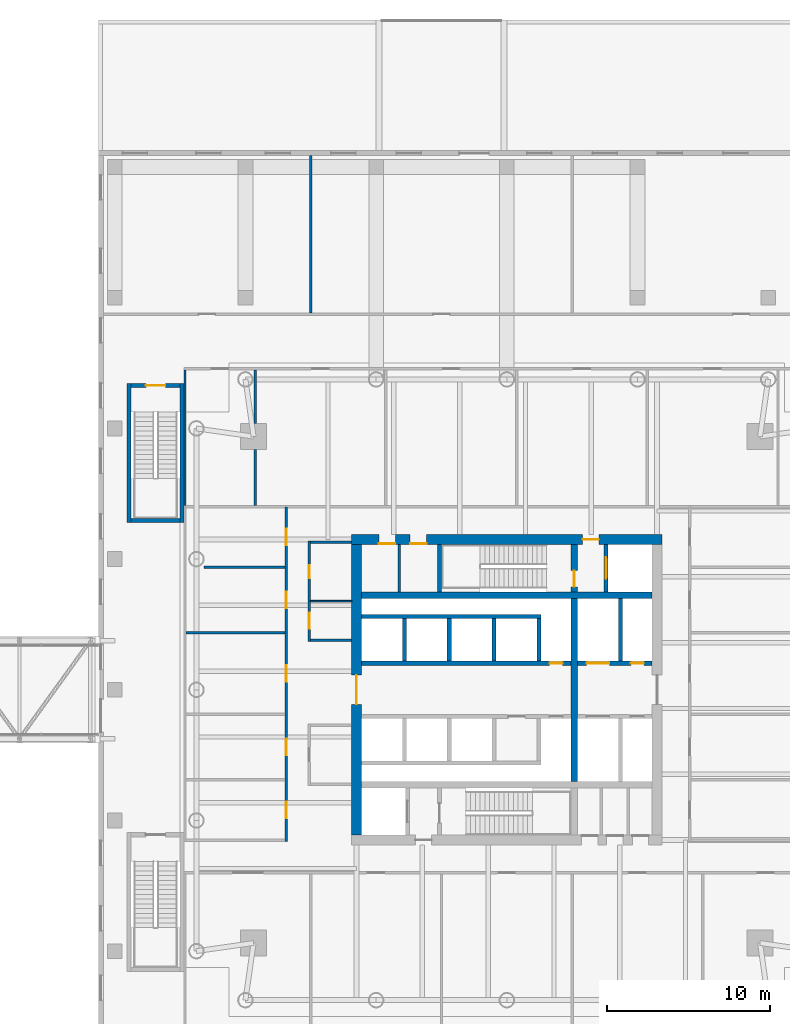
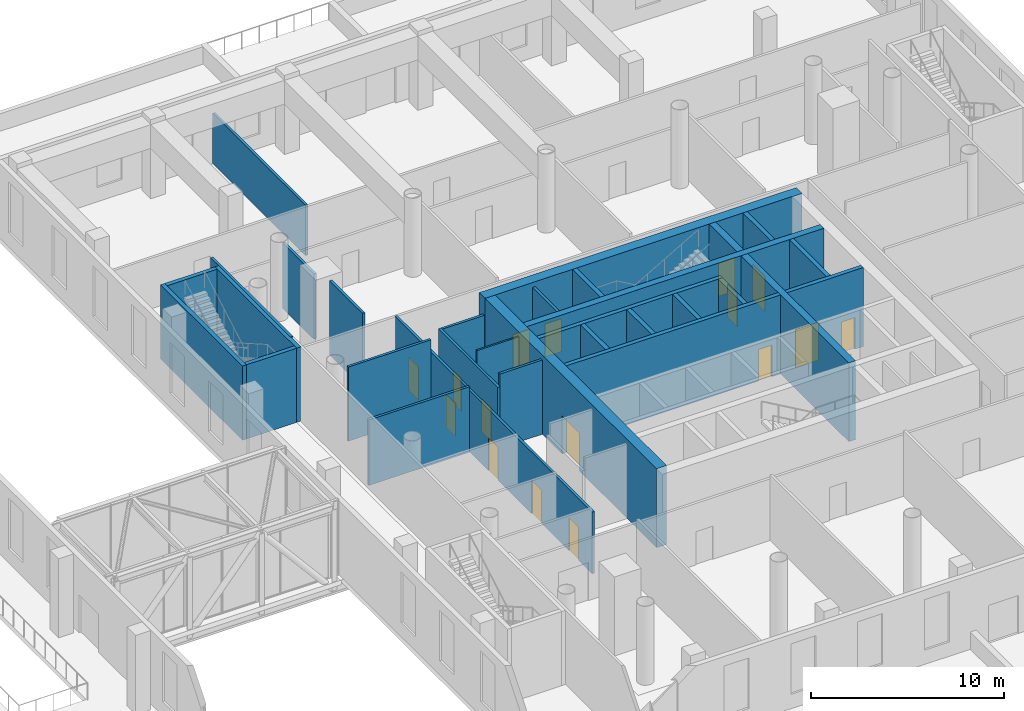
# One storey, part 16 of 23: 31 walls, 17 doors, 17 openings.
"""IFC4 building model written with IfcOpenShell, lengths in metres."""

from ifc_helpers import new_model, si_unit, direction, frame, frame_2d, origin, place, context, subcontext, project, spatial, rectangle, extrude, material, layer, layer_set, type_object, element, fill, save


model = new_model("IFC4")

# Units and contexts
model_context = context("Model", 3, precision=1e-05, world=origin(), true_north=direction((0.0, 1.0)))
body_context = subcontext(model_context, "Body", "Model", "MODEL_VIEW")
ifc_project = project(units=[si_unit("LENGTHUNIT", "METRE"), si_unit("AREAUNIT", "SQUARE_METRE"), si_unit("VOLUMEUNIT", "CUBIC_METRE"), si_unit("PLANEANGLEUNIT", "RADIAN"), si_unit("MASSUNIT", "GRAM", prefix="KILO")], contexts=[model_context])

# Site, building, storey
site_placement = place(None, origin())
site = spatial("IfcSite", under=ifc_project, at=site_placement, CompositionType="ELEMENT")
building_placement = place(site_placement, origin())
building = spatial("IfcBuilding", under=site, at=building_placement, Name="Ostroluk Exchange", CompositionType="ELEMENT")
storey_placement = place(building_placement, frame((0.0, 0.0, 11.0)))
storey = spatial("IfcBuildingStorey", under=building, at=storey_placement, Name="L02", CompositionType="ELEMENT", Elevation=11.0)

# Walls
ifc_material_1 = material(Name="Concrete blockwork", Category="masonry")
ifc_layer_1 = layer(ifc_material_1, 0.10009765625)
ifc_layer_set_1 = layer_set([ifc_layer_1], Name="Blockwork WC wall 100")
wall_type_1 = type_object("IfcWallType", Name="Blockwork WC wall 100", PredefinedType="SOLIDWALL", material=ifc_layer_set_1)
wall_1_placement = place(storey_placement, frame((104.97509765625, 51.425048828125, 0.0), z_axis=(0.0, 0.0, 1.0), x_axis=(1.0, 0.0, 0.0)))
element("IfcWall", 1, at=wall_1_placement, inside=storey, type_object=wall_type_1, Name="Blockwork WC wall", PredefinedType="SOLIDWALL", context=body_context, shape_type="SweptSolid", body=[
    extrude(rectangle(XDim=2.52490234375, YDim=0.10009765625, at=frame_2d((1.262451171875, 0.0))), origin(), (0.0, 0.0, 1.0), 4.699951171875),
])
ifc_material_2 = material(Name="Concrete blockwork", Category="masonry")
ifc_layer_2 = layer(ifc_material_2, 0.14990234375)
ifc_layer_set_2 = layer_set([ifc_layer_2], Name="Blockwork plant room wall 150")
wall_type_2 = type_object("IfcWallType", Name="Blockwork plant room wall 150", PredefinedType="SOLIDWALL", material=ifc_layer_set_2)
wall_2_placement = place(storey_placement, frame((110.425048828125, 52.0, 0.0), z_axis=(0.0, 0.0, 1.0), x_axis=(0.0, 1.0, 0.0)))
element("IfcWall", 2, at=wall_2_placement, inside=storey, type_object=wall_type_2, Name="Core room wall", PredefinedType="SOLIDWALL", context=body_context, shape_type="SweptSolid", body=[
    extrude(rectangle(XDim=2.89990234375, YDim=0.14990234375, at=frame_2d((1.449951171875, 0.0))), origin(), (0.0, 0.0, 1.0), 4.699951171875),
])
ifc_material_3 = material(Name="Concrete blockwork", Category="masonry")
ifc_layer_3 = layer(ifc_material_3, 0.25)
ifc_layer_set_3 = layer_set([ifc_layer_3], Name="Blockwork stair enclosure wall 250")
wall_type_3 = type_object("IfcWallType", Name="Blockwork stair enclosure wall 250", PredefinedType="SOLIDWALL", material=ifc_layer_set_3)
for number, where, z_axis, x_axis, name in (
    (3, (93.875, 56.25, 0.0), (0.0, 0.0, 1.0), (0.0, 1.0, 0.0), "Stair PS6 enclosure wall"),
    (4, (97.125, 56.25, 0.0), (0.0, 0.0, 1.0), (0.0, 1.0, 0.0), "Stair PS6 enclosure wall"),
):
    element("IfcWall", number, at=place(storey_placement, frame(where, z_axis=z_axis, x_axis=x_axis)), inside=storey, type_object=wall_type_3, Name=name, PredefinedType="SOLIDWALL", context=body_context, shape_type="SweptSolid", body=[
        extrude(rectangle(XDim=8.5, YDim=0.25, at=frame_2d((4.25, 0.0))), origin(), (0.0, 0.0, 1.0), 4.699951171875),
    ])
wall_3_placement = place(storey_placement, frame((94.0, 56.375, 0.0), z_axis=(0.0, 0.0, 1.0), x_axis=(1.0, 0.0, 0.0)))
element("IfcWall", 5, at=wall_3_placement, inside=storey, type_object=wall_type_3, Name="Stair PS6 enclosure wall", PredefinedType="SOLIDWALL", context=body_context, shape_type="SweptSolid", body=[
    extrude(rectangle(XDim=3.0, YDim=0.25, at=frame_2d((1.5, 0.0))), origin(), (0.0, 0.0, 1.0), 4.699951171875),
])

# Wall, opening, door
wall_4_placement = place(storey_placement, frame((94.0, 64.625, 0.0), z_axis=(0.0, 0.0, 1.0), x_axis=(1.0, 0.0, 0.0)))
wall_4 = element("IfcWall", 6, at=wall_4_placement, inside=storey, type_object=wall_type_3, Name="Stair PS6 enclosure wall", PredefinedType="SOLIDWALL", context=body_context, shape_type="SweptSolid", body=[
    extrude(rectangle(XDim=3.0, YDim=0.25, at=frame_2d((1.5, 0.0))), origin(), (0.0, 0.0, 1.0), 4.699951171875),
])
opening_1_placement = place(wall_4_placement, frame((0.89990234375, 0.0, 0.0)))
opening_1 = element("IfcOpeningElement", 7, at=opening_1_placement, cuts=wall_4, Name="Opening FD60S", PredefinedType="OPENING", context=body_context, shape_type="SweptSolid", body=[
    extrude(rectangle(XDim=1.199951171875, YDim=2.10009765625, at=frame_2d((0.60009765625, 1.050048828125))), frame((0.0, 0.135009765625, 0.0), z_axis=(0.0, -1.0, 0.0), x_axis=(1.0, 0.0, 0.0)), (0.0, 0.0, 1.0), 0.27001953125),
])
ifc_material_4 = material(Name="Steel", Category="steel")
door_type_1 = type_object("IfcDoorType", Name="Stair door EI 60 1200 x 2100", OperationType="SINGLE_SWING_LEFT", PredefinedType="DOOR", material=ifc_material_4)
door_1_placement = place(opening_1_placement, origin())
door_1 = element("IfcDoor", 8, at=door_1_placement, inside=storey, type_object=door_type_1, Name="Stair PS6 door", OperationType="SINGLE_SWING_LEFT", OverallHeight=2.10009765625, OverallWidth=1.199951171875, PredefinedType="DOOR", context=body_context, shape_type="SweptSolid", body=[
    extrude(rectangle(XDim=1.199951171875, YDim=2.10009765625, at=frame_2d((0.60009765625, 1.050048828125))), frame((0.0, 0.02490234375, 0.0), z_axis=(0.0, -1.0, 0.0), x_axis=(1.0, 0.0, 0.0)), (0.0, 0.0, 1.0), 0.050048828125),
])
fill(opening_1, door_1)

# Walls
ifc_material_5 = material(Name="Concrete C50/60", Category="concrete")
ifc_layer_4 = layer(ifc_material_5, 0.39990234375)
ifc_layer_set_4 = layer_set([ifc_layer_4], Name="Core cross wall 400 C50/60")
wall_type_4 = type_object("IfcWallType", Name="Core cross wall 400 C50/60", PredefinedType="SHEAR", material=ifc_layer_set_4)
wall_5_placement = place(storey_placement, frame((108.10009765625, 51.800048828125, 0.0), z_axis=(0.0, 0.0, 1.0), x_axis=(1.0, 0.0, 0.0)))
element("IfcWall", 9, at=wall_5_placement, inside=storey, type_object=wall_type_4, Name="T2 core wall XN", PredefinedType="SHEAR", context=body_context, shape_type="SweptSolid", body=[
    extrude(rectangle(XDim=17.7998046875, YDim=0.39990234375, at=frame_2d((8.89990234375, 0.0))), origin(), (0.0, 0.0, 1.0), 5.0),
])
wall_6_placement = place(storey_placement, frame((121.1298828125, 40.39990234375, 0.0), z_axis=(0.0, 0.0, 1.0), x_axis=(0.0, 1.0, 0.0)))
element("IfcWall", 10, at=wall_6_placement, inside=storey, type_object=wall_type_4, Name="T2 core wall YE2", PredefinedType="SHEAR", context=body_context, shape_type="SweptSolid", body=[
    extrude(rectangle(XDim=11.2001953125, YDim=0.39990234375, at=frame_2d((5.60009765625, 0.0))), origin(), (0.0, 0.0, 1.0), 5.0),
])

# Wall, opening, door
wall_7_placement = place(storey_placement, frame((121.1298828125, 52.0, 0.0), z_axis=(0.0, 0.0, 1.0), x_axis=(0.0, 1.0, 0.0)))
wall_7 = element("IfcWall", 11, at=wall_7_placement, inside=storey, type_object=wall_type_4, Name="T2 core wall YE3", PredefinedType="SHEAR", context=body_context, shape_type="SweptSolid", body=[
    extrude(rectangle(XDim=2.89990234375, YDim=0.39990234375, at=frame_2d((1.449951171875, 0.0))), origin(), (0.0, 0.0, 1.0), 5.0),
])
opening_2_placement = place(wall_7_placement, frame((0.300048828125, 0.0, 0.0)))
opening_2 = element("IfcOpeningElement", 12, at=opening_2_placement, cuts=wall_7, Name="Opening FD60", PredefinedType="OPENING", context=body_context, shape_type="SweptSolid", body=[
    extrude(rectangle(XDim=1.0, YDim=2.10009765625, at=frame_2d((0.5, 1.050048828125))), frame((0.0, 0.2099609375, 0.0), z_axis=(0.0, -1.0, 0.0), x_axis=(1.0, 0.0, 0.0)), (0.0, 0.0, 1.0), 0.419921875),
])
ifc_material_6 = material(Name="Steel", Category="steel")
door_type_2 = type_object("IfcDoorType", Name="Fire door EI 60 1000 x 2100", OperationType="SINGLE_SWING_LEFT", PredefinedType="DOOR", material=ifc_material_6)
door_2_placement = place(opening_2_placement, origin())
door_2 = element("IfcDoor", 13, at=door_2_placement, inside=storey, type_object=door_type_2, Name="Stair T2-S2 door", OperationType="SINGLE_SWING_LEFT", OverallHeight=2.10009765625, OverallWidth=1.0, PredefinedType="DOOR", context=body_context, shape_type="SweptSolid", body=[
    extrude(rectangle(XDim=1.0, YDim=2.10009765625, at=frame_2d((0.5, 1.050048828125))), frame((0.0, 0.02490234375, 0.0), z_axis=(0.0, -1.0, 0.0), x_axis=(1.0, 0.0, 0.0)), (0.0, 0.0, 1.0), 0.050048828125),
])
fill(opening_2, door_2)

# Wall
ifc_material_7 = material(Name="Concrete C40/50", Category="concrete")
ifc_layer_5 = layer(ifc_material_7, 0.25)
ifc_layer_set_5 = layer_set([ifc_layer_5], Name="Core shaft wall 250")
wall_type_5 = type_object("IfcWallType", Name="Core shaft wall 250", PredefinedType="SHEAR", material=ifc_layer_set_5)
wall_8_placement = place(storey_placement, frame((112.875, 52.0, 0.0), z_axis=(0.0, 0.0, 1.0), x_axis=(0.0, 1.0, 0.0)))
element("IfcWall", 14, at=wall_8_placement, inside=storey, type_object=wall_type_5, Name="Stair shaft wall", PredefinedType="SHEAR", context=body_context, shape_type="SweptSolid", body=[
    extrude(rectangle(XDim=2.89990234375, YDim=0.25, at=frame_2d((1.449951171875, 0.0))), origin(), (0.0, 0.0, 1.0), 5.0),
])

# Wall, opening, door
wall_9_placement = place(storey_placement, frame((123.074951171875, 52.0, 0.0), z_axis=(0.0, 0.0, 1.0), x_axis=(0.0, 1.0, 0.0)))
wall_9 = element("IfcWall", 15, at=wall_9_placement, inside=storey, type_object=wall_type_5, Name="Firefighting lift shaft wall", PredefinedType="SHEAR", context=body_context, shape_type="SweptSolid", body=[
    extrude(rectangle(XDim=2.89990234375, YDim=0.25, at=frame_2d((1.449951171875, 0.0))), origin(), (0.0, 0.0, 1.0), 5.0),
])
opening_3_placement = place(wall_9_placement, frame((0.800048828125, 0.0, 0.0)))
opening_3 = element("IfcOpeningElement", 16, at=opening_3_placement, cuts=wall_9, Name="Opening LD2", PredefinedType="OPENING", context=body_context, shape_type="SweptSolid", body=[
    extrude(rectangle(XDim=1.300048828125, YDim=2.199951171875, at=frame_2d((0.64990234375, 1.10009765625))), frame((0.0, 0.135009765625, 0.0), z_axis=(0.0, -1.0, 0.0), x_axis=(1.0, 0.0, 0.0)), (0.0, 0.0, 1.0), 0.27001953125),
])
ifc_material_8 = material(Name="Stainless steel", Category="steel")
door_type_3 = type_object("IfcDoorType", Name="Lift landing door E 60 1300 x 2200", OperationType="DOUBLE_DOOR_SLIDING", PredefinedType="DOOR", material=ifc_material_8)
door_3_placement = place(opening_3_placement, origin())
door_3 = element("IfcDoor", 17, at=door_3_placement, inside=storey, type_object=door_type_3, Name="Lift HF2 landing door", OperationType="DOUBLE_DOOR_SLIDING", OverallHeight=2.199951171875, OverallWidth=1.300048828125, PredefinedType="DOOR", context=body_context, shape_type="SweptSolid", body=[
    extrude(rectangle(XDim=1.300048828125, YDim=2.199951171875, at=frame_2d((0.64990234375, 1.10009765625))), frame((0.0, 0.02490234375, 0.0), z_axis=(0.0, -1.0, 0.0), x_axis=(1.0, 0.0, 0.0)), (0.0, 0.0, 1.0), 0.050048828125),
])
fill(opening_3, door_3)

# Walls
for number, where, z_axis, x_axis, name in (
    (18, (110.72509765625, 47.75, 0.0), (0.0, 0.0, 1.0), (0.0, 1.0, 0.0), "Lift shaft wall"),
    (19, (113.47509765625, 47.75, 0.0), (0.0, 0.0, 1.0), (0.0, 1.0, 0.0), "Lift shaft wall"),
    (20, (116.22509765625, 47.75, 0.0), (0.0, 0.0, 1.0), (0.0, 1.0, 0.0), "Lift shaft wall"),
    (21, (118.97509765625, 47.75, 0.0), (0.0, 0.0, 1.0), (0.0, 1.0, 0.0), "Lift shaft wall"),
):
    element("IfcWall", number, at=place(storey_placement, frame(where, z_axis=z_axis, x_axis=x_axis)), inside=storey, type_object=wall_type_5, Name=name, PredefinedType="SHEAR", context=body_context, shape_type="SweptSolid", body=[
        extrude(rectangle(XDim=2.60009765625, YDim=0.25, at=frame_2d((1.300048828125, 0.0))), origin(), (0.0, 0.0, 1.0), 5.0),
    ])
wall_10_placement = place(storey_placement, frame((108.10009765625, 50.47509765625, 0.0), z_axis=(0.0, 0.0, 1.0), x_axis=(1.0, 0.0, 0.0)))
element("IfcWall", 22, at=wall_10_placement, inside=storey, type_object=wall_type_5, Name="Lift shaft wall", PredefinedType="SHEAR", context=body_context, shape_type="SweptSolid", body=[
    extrude(rectangle(XDim=11.0, YDim=0.25, at=frame_2d((5.5, 0.0))), origin(), (0.0, 0.0, 1.0), 5.0),
])

# Wall, opening, door
wall_11_placement = place(storey_placement, frame((108.10009765625, 47.625, 0.0), z_axis=(0.0, 0.0, 1.0), x_axis=(1.0, 0.0, 0.0)))
wall_11 = element("IfcWall", 23, at=wall_11_placement, inside=storey, type_object=wall_type_5, Name="Lift shaft front wall", PredefinedType="SHEAR", context=body_context, shape_type="SweptSolid", body=[
    extrude(rectangle(XDim=12.829833984375, YDim=0.25, at=frame_2d((6.4150390625, 0.0))), origin(), (0.0, 0.0, 1.0), 5.0),
])
opening_4_placement = place(wall_11_placement, frame((11.514892578125, 0.0, 0.0)))
opening_4 = element("IfcOpeningElement", 24, at=opening_4_placement, cuts=wall_11, Name="Opening RD60", PredefinedType="OPENING", context=body_context, shape_type="SweptSolid", body=[
    extrude(rectangle(XDim=0.800048828125, YDim=2.0, at=frame_2d((0.39990234375, 1.0))), frame((0.0, 0.135009765625, 0.0), z_axis=(0.0, -1.0, 0.0), x_axis=(1.0, 0.0, 0.0)), (0.0, 0.0, 1.0), 0.27001953125),
])
ifc_material_9 = material(Name="Steel", Category="steel")
door_type_4 = type_object("IfcDoorType", Name="Riser access door EI 60 800 x 2000", OperationType="SINGLE_SWING_LEFT", PredefinedType="DOOR", material=ifc_material_9)
door_4_placement = place(opening_4_placement, origin())
door_4 = element("IfcDoor", 25, at=door_4_placement, inside=storey, type_object=door_type_4, Name="Riser access door", OperationType="SINGLE_SWING_RIGHT", OverallHeight=2.0, OverallWidth=0.800048828125, PredefinedType="DOOR", context=body_context, shape_type="SweptSolid", body=[
    extrude(rectangle(XDim=0.800048828125, YDim=2.0, at=frame_2d((0.39990234375, 1.0))), frame((0.0, 0.02490234375, 0.0), z_axis=(0.0, -1.0, 0.0), x_axis=(1.0, 0.0, 0.0)), (0.0, 0.0, 1.0), 0.050048828125),
])
fill(opening_4, door_4)

# Wall
wall_12_placement = place(storey_placement, frame((123.955078125, 47.75, 0.0), z_axis=(0.0, 0.0, 1.0), x_axis=(0.0, 1.0, 0.0)))
element("IfcWall", 26, at=wall_12_placement, inside=storey, type_object=wall_type_5, Name="Lift shaft wall", PredefinedType="SHEAR", context=body_context, shape_type="SweptSolid", body=[
    extrude(rectangle(XDim=3.85009765625, YDim=0.25, at=frame_2d((1.925048828125, 0.0))), origin(), (0.0, 0.0, 1.0), 5.0),
])

# Wall, openings, doors
wall_13_placement = place(storey_placement, frame((121.330078125, 47.625, 0.0), z_axis=(0.0, 0.0, 1.0), x_axis=(1.0, 0.0, 0.0)))
wall_13 = element("IfcWall", 27, at=wall_13_placement, inside=storey, type_object=wall_type_5, Name="Lift shaft front wall", PredefinedType="SHEAR", context=body_context, shape_type="SweptSolid", body=[
    extrude(rectangle(XDim=4.56982421875, YDim=0.25, at=frame_2d((2.284912109375, 0.0))), origin(), (0.0, 0.0, 1.0), 5.0),
])
opening_5_placement = place(wall_13_placement, frame((0.550048828125, 0.0, 0.0)))
opening_5 = element("IfcOpeningElement", 28, at=opening_5_placement, cuts=wall_13, Name="Opening LD3", PredefinedType="OPENING", context=body_context, shape_type="SweptSolid", body=[
    extrude(rectangle(XDim=1.39990234375, YDim=2.39990234375, at=frame_2d((0.699951171875, 1.199951171875))), frame((0.0, 0.135009765625, 0.0), z_axis=(0.0, -1.0, 0.0), x_axis=(1.0, 0.0, 0.0)), (0.0, 0.0, 1.0), 0.27001953125),
])
opening_6_placement = place(wall_13_placement, frame((3.260009765625, 0.0, 0.0)))
opening_6 = element("IfcOpeningElement", 29, at=opening_6_placement, cuts=wall_13, Name="Opening RD60", PredefinedType="OPENING", context=body_context, shape_type="SweptSolid", body=[
    extrude(rectangle(XDim=0.800048828125, YDim=2.0, at=frame_2d((0.39990234375, 1.0))), frame((0.0, 0.135009765625, 0.0), z_axis=(0.0, -1.0, 0.0), x_axis=(1.0, 0.0, 0.0)), (0.0, 0.0, 1.0), 0.27001953125),
])
ifc_material_10 = material(Name="Stainless steel", Category="steel")
door_type_5 = type_object("IfcDoorType", Name="Goods lift landing door E 60 1400 x 2400", OperationType="DOUBLE_DOOR_SLIDING", PredefinedType="DOOR", material=ifc_material_10)
door_5_placement = place(opening_5_placement, origin())
door_5 = element("IfcDoor", 30, at=door_5_placement, inside=storey, type_object=door_type_5, Name="Lift HS1 landing door", OperationType="DOUBLE_DOOR_SLIDING", OverallHeight=2.39990234375, OverallWidth=1.39990234375, PredefinedType="DOOR", context=body_context, shape_type="SweptSolid", body=[
    extrude(rectangle(XDim=1.39990234375, YDim=2.39990234375, at=frame_2d((0.699951171875, 1.199951171875))), frame((0.0, 0.02490234375, 0.0), z_axis=(0.0, -1.0, 0.0), x_axis=(1.0, 0.0, 0.0)), (0.0, 0.0, 1.0), 0.050048828125),
])
fill(opening_5, door_5)
door_6_placement = place(opening_6_placement, origin())
door_6 = element("IfcDoor", 31, at=door_6_placement, inside=storey, type_object=door_type_4, Name="Riser access door", OperationType="SINGLE_SWING_RIGHT", OverallHeight=2.0, OverallWidth=0.800048828125, PredefinedType="DOOR", context=body_context, shape_type="SweptSolid", body=[
    extrude(rectangle(XDim=0.800048828125, YDim=2.0, at=frame_2d((0.39990234375, 1.0))), frame((0.0, 0.02490234375, 0.0), z_axis=(0.0, -1.0, 0.0), x_axis=(1.0, 0.0, 0.0)), (0.0, 0.0, 1.0), 0.050048828125),
])
fill(opening_6, door_6)

ifc_material_11 = material(Name="Concrete C50/60", Category="concrete")
ifc_layer_6 = layer(ifc_material_11, 0.60009765625)
ifc_layer_set_6 = layer_set([ifc_layer_6], Name="Core wall 600 C50/60")
wall_type_6 = type_object("IfcWallType", Name="Core wall 600 C50/60", PredefinedType="SHEAR", material=ifc_layer_set_6)
wall_14_placement = place(storey_placement, frame((107.5, 55.199951171875, 0.0), z_axis=(0.0, 0.0, 1.0), x_axis=(1.0, 0.0, 0.0)))
wall_14 = element("IfcWall", 32, at=wall_14_placement, inside=storey, type_object=wall_type_6, Name="T2 core wall N", PredefinedType="SHEAR", context=body_context, shape_type="SweptSolid", body=[
    extrude(rectangle(XDim=19.0, YDim=0.60009765625, at=frame_2d((9.5, 0.0))), origin(), (0.0, 0.0, 1.0), 5.0),
])
opening_7_placement = place(wall_14_placement, frame((14.139892578125, 0.0, 0.0)))
opening_7 = element("IfcOpeningElement", 33, at=opening_7_placement, cuts=wall_14, Name="Opening FD60", PredefinedType="OPENING", context=body_context, shape_type="SweptSolid", body=[
    extrude(rectangle(XDim=1.0, YDim=2.10009765625, at=frame_2d((0.5, 1.050048828125))), frame((0.0, 0.31005859375, 0.0), z_axis=(0.0, -1.0, 0.0), x_axis=(1.0, 0.0, 0.0)), (0.0, 0.0, 1.0), 0.6201171875),
])
opening_8_placement = place(wall_14_placement, frame((1.675048828125, 0.0, 0.0)))
opening_8 = element("IfcOpeningElement", 34, at=opening_8_placement, cuts=wall_14, Name="Opening FD60", PredefinedType="OPENING", context=body_context, shape_type="SweptSolid", body=[
    extrude(rectangle(XDim=1.0, YDim=2.10009765625, at=frame_2d((0.5, 1.050048828125))), frame((0.0, 0.31005859375, 0.0), z_axis=(0.0, -1.0, 0.0), x_axis=(1.0, 0.0, 0.0)), (0.0, 0.0, 1.0), 0.6201171875),
])
opening_9_placement = place(wall_14_placement, frame((3.58740234375, 0.0, 0.0)))
opening_9 = element("IfcOpeningElement", 35, at=opening_9_placement, cuts=wall_14, Name="Opening FD60", PredefinedType="OPENING", context=body_context, shape_type="SweptSolid", body=[
    extrude(rectangle(XDim=1.0, YDim=2.10009765625, at=frame_2d((0.5, 1.050048828125))), frame((0.0, 0.31005859375, 0.0), z_axis=(0.0, -1.0, 0.0), x_axis=(1.0, 0.0, 0.0)), (0.0, 0.0, 1.0), 0.6201171875),
])
door_7_placement = place(opening_7_placement, origin())
door_7 = element("IfcDoor", 36, at=door_7_placement, inside=storey, type_object=door_type_2, Name="Firefighting lobby door", OperationType="SINGLE_SWING_RIGHT", OverallHeight=2.10009765625, OverallWidth=1.0, PredefinedType="DOOR", context=body_context, shape_type="SweptSolid", body=[
    extrude(rectangle(XDim=1.0, YDim=2.10009765625, at=frame_2d((0.5, 1.050048828125))), frame((0.0, 0.02490234375, 0.0), z_axis=(0.0, -1.0, 0.0), x_axis=(1.0, 0.0, 0.0)), (0.0, 0.0, 1.0), 0.050048828125),
])
fill(opening_7, door_7)
door_8_placement = place(opening_8_placement, origin())
door_8 = element("IfcDoor", 37, at=door_8_placement, inside=storey, type_object=door_type_2, Name="Comms switch room door", OperationType="SINGLE_SWING_LEFT", OverallHeight=2.10009765625, OverallWidth=1.0, PredefinedType="DOOR", context=body_context, shape_type="SweptSolid", body=[
    extrude(rectangle(XDim=1.0, YDim=2.10009765625, at=frame_2d((0.5, 1.050048828125))), frame((0.0, -0.23974609375, 0.0), z_axis=(0.0, -1.0, 0.0), x_axis=(1.0, 0.0, 0.0)), (0.0, 0.0, 1.0), 0.050048828125),
])
fill(opening_8, door_8)
door_9_placement = place(opening_9_placement, origin())
door_9 = element("IfcDoor", 38, at=door_9_placement, inside=storey, type_object=door_type_2, Name="Electrical switch room door", OperationType="SINGLE_SWING_LEFT", OverallHeight=2.10009765625, OverallWidth=1.0, PredefinedType="DOOR", context=body_context, shape_type="SweptSolid", body=[
    extrude(rectangle(XDim=1.0, YDim=2.10009765625, at=frame_2d((0.5, 1.050048828125))), frame((0.0, -0.23974609375, 0.0), z_axis=(0.0, -1.0, 0.0), x_axis=(1.0, 0.0, 0.0)), (0.0, 0.0, 1.0), 0.050048828125),
])
fill(opening_9, door_9)

# Wall, opening, door
wall_15_placement = place(storey_placement, frame((107.800048828125, 37.10009765625, 0.0), z_axis=(0.0, 0.0, 1.0), x_axis=(0.0, 1.0, 0.0)))
wall_15 = element("IfcWall", 39, at=wall_15_placement, inside=storey, type_object=wall_type_6, Name="T2 core wall W", PredefinedType="SHEAR", context=body_context, shape_type="SweptSolid", body=[
    extrude(rectangle(XDim=17.7998046875, YDim=0.60009765625, at=frame_2d((8.89990234375, 0.0))), origin(), (0.0, 0.0, 1.0), 5.0),
])
opening_10_placement = place(wall_15_placement, frame((8.0, 0.0, 0.0)))
opening_10 = element("IfcOpeningElement", 40, at=opening_10_placement, cuts=wall_15, Name="Opening FD30D", PredefinedType="OPENING", context=body_context, shape_type="SweptSolid", body=[
    extrude(rectangle(XDim=1.800048828125, YDim=2.39990234375, at=frame_2d((0.89990234375, 1.199951171875))), frame((0.0, 0.31005859375, 0.0), z_axis=(0.0, -1.0, 0.0), x_axis=(1.0, 0.0, 0.0)), (0.0, 0.0, 1.0), 0.6201171875),
])
ifc_material_12 = material(Name="Timber", Category="wood")
door_type_6 = type_object("IfcDoorType", Name="Lobby double door EI 30 1800 x 2400", OperationType="DOUBLE_DOOR_SINGLE_SWING", PredefinedType="DOOR", material=ifc_material_12)
door_10_placement = place(opening_10_placement, origin())
door_10 = element("IfcDoor", 41, at=door_10_placement, inside=storey, type_object=door_type_6, Name="Lift lobby doors", OperationType="DOUBLE_DOOR_SINGLE_SWING", OverallHeight=2.39990234375, OverallWidth=1.800048828125, PredefinedType="DOOR", context=body_context, shape_type="SweptSolid", body=[
    extrude(rectangle(XDim=1.800048828125, YDim=2.39990234375, at=frame_2d((0.89990234375, 1.199951171875))), frame((0.0, 0.02490234375, 0.0), z_axis=(0.0, -1.0, 0.0), x_axis=(1.0, 0.0, 0.0)), (0.0, 0.0, 1.0), 0.050048828125),
])
fill(opening_10, door_10)

# Walls
ifc_material_13 = material(Name="Gypsum plasterboard partition", Category="gypsum")
ifc_layer_7 = layer(ifc_material_13, 0.14990234375)
ifc_layer_set_7 = layer_set([ifc_layer_7], Name="Plasterboard partition 150")
wall_type_7 = type_object("IfcWallType", Name="Plasterboard partition 150", PredefinedType="PARTITIONING", material=ifc_layer_set_7)
wall_16_placement = place(storey_placement, frame((105.0, 69.074951171875, 0.0), z_axis=(0.0, 0.0, 1.0), x_axis=(0.0, 1.0, 0.0)))
element("IfcWall", 42, at=wall_16_placement, inside=storey, type_object=wall_type_7, Name="Partition", PredefinedType="PARTITIONING", context=body_context, shape_type="SweptSolid", body=[
    extrude(rectangle(XDim=9.625, YDim=0.14990234375, at=frame_2d((4.8125, 0.0))), origin(), (0.0, 0.0, 1.0), 3.199951171875),
])
wall_17_placement = place(storey_placement, frame((97.300048828125, 57.27490234375, 0.0), z_axis=(0.0, 0.0, 1.0), x_axis=(0.0, 1.0, 0.0)))
element("IfcWall", 43, at=wall_17_placement, inside=storey, type_object=wall_type_7, Name="Partition", PredefinedType="PARTITIONING", context=body_context, shape_type="SweptSolid", body=[
    extrude(rectangle(XDim=8.300048828125, YDim=0.14990234375, at=frame_2d((4.14990234375, 0.0))), origin(), (0.0, 0.0, 1.0), 4.699951171875),
])
wall_18_placement = place(storey_placement, frame((101.60009765625, 57.27490234375, 0.0), z_axis=(0.0, 0.0, 1.0), x_axis=(0.0, 1.0, 0.0)))
element("IfcWall", 44, at=wall_18_placement, inside=storey, type_object=wall_type_7, Name="Partition", PredefinedType="PARTITIONING", context=body_context, shape_type="SweptSolid", body=[
    extrude(rectangle(XDim=3.425048828125, YDim=0.14990234375, at=frame_2d((1.71240234375, 0.0))), origin(), (0.0, 0.0, 1.0), 4.699951171875),
])
wall_19_placement = place(storey_placement, frame((101.60009765625, 62.300048828125, 0.0), z_axis=(0.0, 0.0, 1.0), x_axis=(0.0, 1.0, 0.0)))
element("IfcWall", 45, at=wall_19_placement, inside=storey, type_object=wall_type_7, Name="Partition", PredefinedType="PARTITIONING", context=body_context, shape_type="SweptSolid", body=[
    extrude(rectangle(XDim=3.27490234375, YDim=0.14990234375, at=frame_2d((1.637451171875, 0.0))), origin(), (0.0, 0.0, 1.0), 4.14990234375),
])

# Wall, openings, doors
wall_20_placement = place(storey_placement, frame((103.5, 36.72509765625, 0.0), z_axis=(0.0, 0.0, 1.0), x_axis=(0.0, 1.0, 0.0)))
wall_20 = element("IfcWall", 46, at=wall_20_placement, inside=storey, type_object=wall_type_7, Name="Partition", PredefinedType="PARTITIONING", context=body_context, shape_type="SweptSolid", body=[
    extrude(rectangle(XDim=20.474853515625, YDim=0.14990234375, at=frame_2d((10.2373046875, 0.0))), origin(), (0.0, 0.0, 1.0), 3.89990234375),
])
opening_11_placement = place(wall_20_placement, frame((1.425048828125, 0.0, 0.0)))
opening_11 = element("IfcOpeningElement", 47, at=opening_11_placement, cuts=wall_20, Name="Opening D-03", PredefinedType="OPENING", context=body_context, shape_type="SweptSolid", body=[
    extrude(rectangle(XDim=1.0, YDim=2.10009765625, at=frame_2d((0.5, 1.050048828125))), frame((0.0, 0.0849609375, 0.0), z_axis=(0.0, -1.0, 0.0), x_axis=(1.0, 0.0, 0.0)), (0.0, 0.0, 1.0), 0.169921875),
])
opening_12_placement = place(wall_20_placement, frame((5.27490234375, 0.0, 0.0)))
opening_12 = element("IfcOpeningElement", 48, at=opening_12_placement, cuts=wall_20, Name="Opening D-03", PredefinedType="OPENING", context=body_context, shape_type="SweptSolid", body=[
    extrude(rectangle(XDim=1.0, YDim=2.10009765625, at=frame_2d((0.5, 1.050048828125))), frame((0.0, 0.0849609375, 0.0), z_axis=(0.0, -1.0, 0.0), x_axis=(1.0, 0.0, 0.0)), (0.0, 0.0, 1.0), 0.169921875),
])
opening_13_placement = place(wall_20_placement, frame((9.77490234375, 0.0, 0.0)))
opening_13 = element("IfcOpeningElement", 49, at=opening_13_placement, cuts=wall_20, Name="Opening D-03", PredefinedType="OPENING", context=body_context, shape_type="SweptSolid", body=[
    extrude(rectangle(XDim=1.0, YDim=2.10009765625, at=frame_2d((0.5, 1.050048828125))), frame((0.0, 0.0849609375, 0.0), z_axis=(0.0, -1.0, 0.0), x_axis=(1.0, 0.0, 0.0)), (0.0, 0.0, 1.0), 0.169921875),
])
opening_14_placement = place(wall_20_placement, frame((14.27490234375, 0.0, 0.0)))
opening_14 = element("IfcOpeningElement", 50, at=opening_14_placement, cuts=wall_20, Name="Opening D-03", PredefinedType="OPENING", context=body_context, shape_type="SweptSolid", body=[
    extrude(rectangle(XDim=1.0, YDim=2.10009765625, at=frame_2d((0.5, 1.050048828125))), frame((0.0, 0.0849609375, 0.0), z_axis=(0.0, -1.0, 0.0), x_axis=(1.0, 0.0, 0.0)), (0.0, 0.0, 1.0), 0.169921875),
])
opening_15_placement = place(wall_20_placement, frame((18.125, 0.0, 0.0)))
opening_15 = element("IfcOpeningElement", 51, at=opening_15_placement, cuts=wall_20, Name="Opening D-03", PredefinedType="OPENING", context=body_context, shape_type="SweptSolid", body=[
    extrude(rectangle(XDim=1.0, YDim=2.10009765625, at=frame_2d((0.5, 1.050048828125))), frame((0.0, 0.0849609375, 0.0), z_axis=(0.0, -1.0, 0.0), x_axis=(1.0, 0.0, 0.0)), (0.0, 0.0, 1.0), 0.169921875),
])
ifc_material_14 = material(Name="Timber", Category="wood")
door_type_7 = type_object("IfcDoorType", Name="Internal door 1000 x 2100", OperationType="SINGLE_SWING_LEFT", PredefinedType="DOOR", material=ifc_material_14)
door_11_placement = place(opening_11_placement, origin())
door_11 = element("IfcDoor", 52, at=door_11_placement, inside=storey, type_object=door_type_7, Name="Meeting room door", OperationType="SINGLE_SWING_LEFT", OverallHeight=2.10009765625, OverallWidth=1.0, PredefinedType="DOOR", context=body_context, shape_type="SweptSolid", body=[
    extrude(rectangle(XDim=1.0, YDim=2.10009765625, at=frame_2d((0.5, 1.050048828125))), frame((0.0, 0.02490234375, 0.0), z_axis=(0.0, -1.0, 0.0), x_axis=(1.0, 0.0, 0.0)), (0.0, 0.0, 1.0), 0.050048828125),
])
fill(opening_11, door_11)
door_12_placement = place(opening_12_placement, origin())
door_12 = element("IfcDoor", 53, at=door_12_placement, inside=storey, type_object=door_type_7, Name="Meeting room door", OperationType="SINGLE_SWING_LEFT", OverallHeight=2.10009765625, OverallWidth=1.0, PredefinedType="DOOR", context=body_context, shape_type="SweptSolid", body=[
    extrude(rectangle(XDim=1.0, YDim=2.10009765625, at=frame_2d((0.5, 1.050048828125))), frame((0.0, 0.02490234375, 0.0), z_axis=(0.0, -1.0, 0.0), x_axis=(1.0, 0.0, 0.0)), (0.0, 0.0, 1.0), 0.050048828125),
])
fill(opening_12, door_12)
door_13_placement = place(opening_13_placement, origin())
door_13 = element("IfcDoor", 54, at=door_13_placement, inside=storey, type_object=door_type_7, Name="Meeting room door", OperationType="SINGLE_SWING_RIGHT", OverallHeight=2.10009765625, OverallWidth=1.0, PredefinedType="DOOR", context=body_context, shape_type="SweptSolid", body=[
    extrude(rectangle(XDim=1.0, YDim=2.10009765625, at=frame_2d((0.5, 1.050048828125))), frame((0.0, 0.02490234375, 0.0), z_axis=(0.0, -1.0, 0.0), x_axis=(1.0, 0.0, 0.0)), (0.0, 0.0, 1.0), 0.050048828125),
])
fill(opening_13, door_13)
door_14_placement = place(opening_14_placement, origin())
door_14 = element("IfcDoor", 55, at=door_14_placement, inside=storey, type_object=door_type_7, Name="Meeting room door", OperationType="SINGLE_SWING_RIGHT", OverallHeight=2.10009765625, OverallWidth=1.0, PredefinedType="DOOR", context=body_context, shape_type="SweptSolid", body=[
    extrude(rectangle(XDim=1.0, YDim=2.10009765625, at=frame_2d((0.5, 1.050048828125))), frame((0.0, 0.02490234375, 0.0), z_axis=(0.0, -1.0, 0.0), x_axis=(1.0, 0.0, 0.0)), (0.0, 0.0, 1.0), 0.050048828125),
])
fill(opening_14, door_14)
door_15_placement = place(opening_15_placement, origin())
door_15 = element("IfcDoor", 56, at=door_15_placement, inside=storey, type_object=door_type_7, Name="Meeting room door", OperationType="SINGLE_SWING_RIGHT", OverallHeight=2.10009765625, OverallWidth=1.0, PredefinedType="DOOR", context=body_context, shape_type="SweptSolid", body=[
    extrude(rectangle(XDim=1.0, YDim=2.10009765625, at=frame_2d((0.5, 1.050048828125))), frame((0.0, 0.02490234375, 0.0), z_axis=(0.0, -1.0, 0.0), x_axis=(1.0, 0.0, 0.0)), (0.0, 0.0, 1.0), 0.050048828125),
])
fill(opening_15, door_15)

# Walls
wall_21_placement = place(storey_placement, frame((97.375, 49.5, 0.0), z_axis=(0.0, 0.0, 1.0), x_axis=(1.0, 0.0, 0.0)))
element("IfcWall", 57, at=wall_21_placement, inside=storey, type_object=wall_type_7, Name="Partition", PredefinedType="PARTITIONING", context=body_context, shape_type="SweptSolid", body=[
    extrude(rectangle(XDim=6.050048828125, YDim=0.14990234375, at=frame_2d((3.02490234375, 0.0))), origin(), (0.0, 0.0, 1.0), 4.14990234375),
])
wall_22_placement = place(storey_placement, frame((98.45703125, 53.5, 0.0), z_axis=(0.0, 0.0, 1.0), x_axis=(1.0, 0.0, 0.0)))
element("IfcWall", 58, at=wall_22_placement, inside=storey, type_object=wall_type_7, Name="Partition", PredefinedType="PARTITIONING", context=body_context, shape_type="SweptSolid", body=[
    extrude(rectangle(XDim=4.968017578125, YDim=0.14990234375, at=frame_2d((2.48388671875, 0.0))), origin(), (0.0, 0.0, 1.0), 4.699951171875),
])

# Wall, openings, doors
ifc_material_15 = material(Name="Gypsum plasterboard partition, moisture resistant", Category="gypsum")
ifc_layer_8 = layer(ifc_material_15, 0.14990234375)
ifc_layer_set_8 = layer_set([ifc_layer_8], Name="Plasterboard toilet partition 150")
wall_type_8 = type_object("IfcWallType", Name="Plasterboard toilet partition 150", PredefinedType="PARTITIONING", material=ifc_layer_set_8)
wall_23_placement = place(storey_placement, frame((104.89990234375, 55.10009765625, 0.0), z_axis=(0.0, 0.0, 1.0), x_axis=(0.0, -1.0, 0.0)))
wall_23 = element("IfcWall", 59, at=wall_23_placement, inside=storey, type_object=wall_type_8, Name="Toilet partition", PredefinedType="PARTITIONING", context=body_context, shape_type="SweptSolid", body=[
    extrude(rectangle(XDim=6.150146484375, YDim=0.14990234375, at=frame_2d((3.0751953125, 0.0))), origin(), (0.0, 0.0, 1.0), 3.89990234375),
])
opening_16_placement = place(wall_23_placement, frame((1.47509765625, 0.0, 0.0)))
opening_16 = element("IfcOpeningElement", 60, at=opening_16_placement, cuts=wall_23, Name="Opening D-06", PredefinedType="OPENING", context=body_context, shape_type="SweptSolid", body=[
    extrude(rectangle(XDim=0.800048828125, YDim=2.10009765625, at=frame_2d((0.39990234375, 1.050048828125))), frame((0.0, 0.0849609375, 0.0), z_axis=(0.0, -1.0, 0.0), x_axis=(1.0, 0.0, 0.0)), (0.0, 0.0, 1.0), 0.169921875),
])
opening_17_placement = place(wall_23_placement, frame((4.375, 0.0, 0.0)))
opening_17 = element("IfcOpeningElement", 61, at=opening_17_placement, cuts=wall_23, Name="Opening D-03", PredefinedType="OPENING", context=body_context, shape_type="SweptSolid", body=[
    extrude(rectangle(XDim=1.0, YDim=2.10009765625, at=frame_2d((0.5, 1.050048828125))), frame((0.0, 0.0849609375, 0.0), z_axis=(0.0, -1.0, 0.0), x_axis=(1.0, 0.0, 0.0)), (0.0, 0.0, 1.0), 0.169921875),
])
door_16_placement = place(opening_17_placement, origin())
door_16 = element("IfcDoor", 62, at=door_16_placement, inside=storey, type_object=door_type_7, Name="Accessible WC door", OperationType="SINGLE_SWING_RIGHT", OverallHeight=2.10009765625, OverallWidth=1.0, PredefinedType="DOOR", context=body_context, shape_type="SweptSolid", body=[
    extrude(rectangle(XDim=1.0, YDim=2.10009765625, at=frame_2d((0.5, 1.050048828125))), frame((0.0, 0.02490234375, 0.0), z_axis=(0.0, -1.0, 0.0), x_axis=(1.0, 0.0, 0.0)), (0.0, 0.0, 1.0), 0.050048828125),
])
fill(opening_17, door_16)
ifc_material_16 = material(Name="Timber", Category="wood")
door_type_8 = type_object("IfcDoorType", Name="Toilet door 800 x 2100", OperationType="SINGLE_SWING_LEFT", PredefinedType="DOOR", material=ifc_material_16)
door_17_placement = place(opening_16_placement, origin())
door_17 = element("IfcDoor", 63, at=door_17_placement, inside=storey, type_object=door_type_8, Name="WC female door", OperationType="SINGLE_SWING_LEFT", OverallHeight=2.10009765625, OverallWidth=0.800048828125, PredefinedType="DOOR", context=body_context, shape_type="SweptSolid", body=[
    extrude(rectangle(XDim=0.800048828125, YDim=2.10009765625, at=frame_2d((0.39990234375, 1.050048828125))), frame((0.0, 0.02490234375, 0.0), z_axis=(0.0, -1.0, 0.0), x_axis=(1.0, 0.0, 0.0)), (0.0, 0.0, 1.0), 0.050048828125),
])
fill(opening_16, door_17)

# Walls
wall_24_placement = place(storey_placement, frame((104.97509765625, 55.02490234375, 0.0), z_axis=(0.0, 0.0, 1.0), x_axis=(1.0, 0.0, 0.0)))
element("IfcWall", 64, at=wall_24_placement, inside=storey, type_object=wall_type_8, Name="Toilet partition", PredefinedType="PARTITIONING", context=body_context, shape_type="SweptSolid", body=[
    extrude(rectangle(XDim=2.52490234375, YDim=0.14990234375, at=frame_2d((1.262451171875, 0.0))), origin(), (0.0, 0.0, 1.0), 3.89990234375),
])
wall_25_placement = place(storey_placement, frame((104.97509765625, 49.02490234375, 0.0), z_axis=(0.0, 0.0, 1.0), x_axis=(1.0, 0.0, 0.0)))
element("IfcWall", 65, at=wall_25_placement, inside=storey, type_object=wall_type_8, Name="Toilet partition", PredefinedType="PARTITIONING", context=body_context, shape_type="SweptSolid", body=[
    extrude(rectangle(XDim=2.52490234375, YDim=0.14990234375, at=frame_2d((1.262451171875, 0.0))), origin(), (0.0, 0.0, 1.0), 4.699951171875),
])

save(model, "model.ifc")
